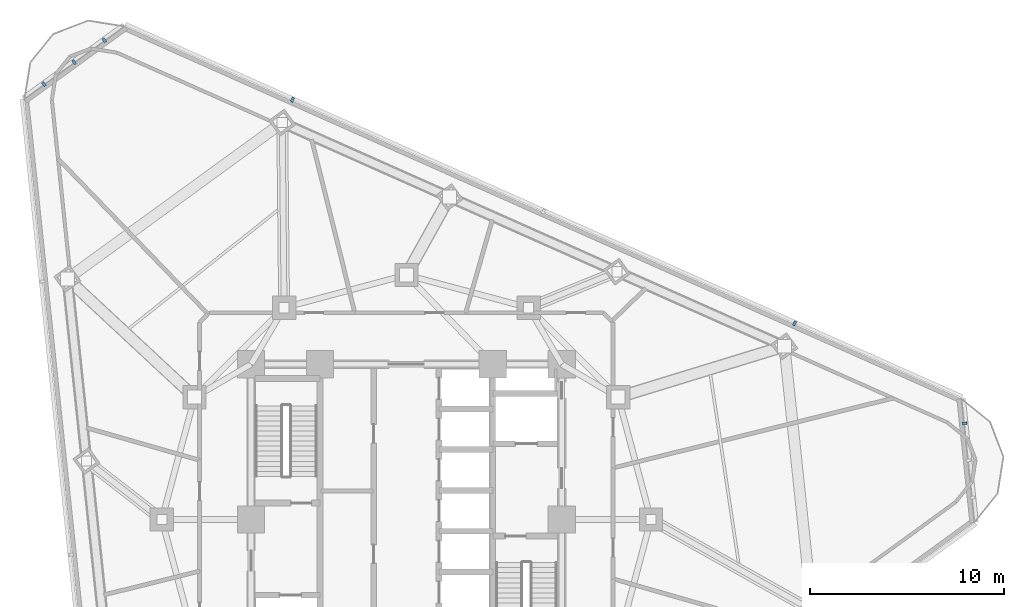
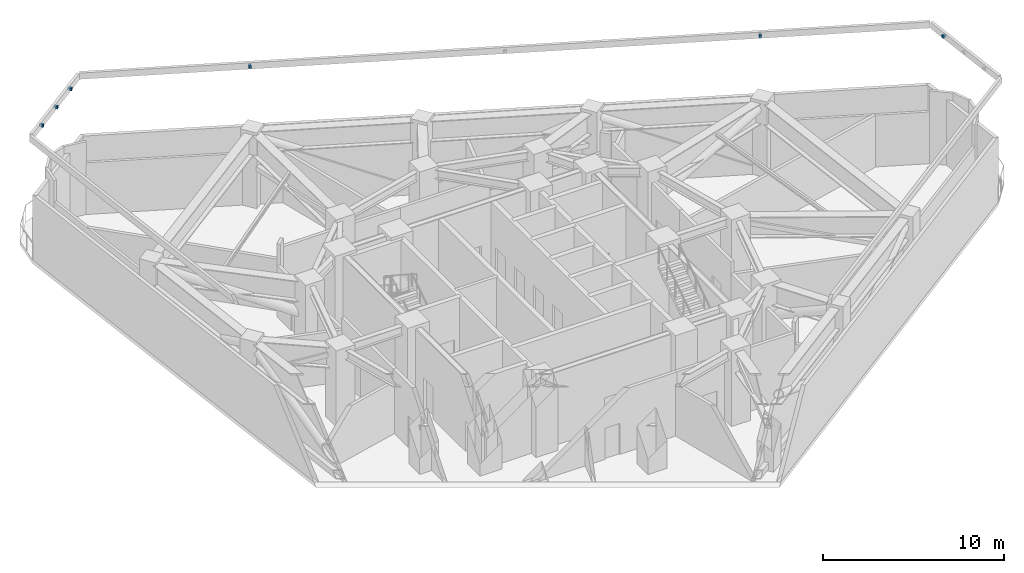
# One storey, part 7 of 10: 6 discrete accessories.
"""IFC4 building model written with IfcOpenShell, lengths in metres."""

import ifcopenshell
import ifcopenshell.guid

model = None  # the IFC model being written
_history = None  # IfcOwnerHistory: only IFC2X3 demands one
_inside = {}  # id of a spatial element -> (the spatial element, [elements in it])
_under = {}  # id of a project, library or spatial element -> (it, [spatial elements below it])
_declared = {}  # id of a project -> (the project, [libraries it declares])
_typed = {}  # id of a type object -> (the type object, [elements of that type])
_made_of = {}  # id of a material, layer set ... -> (it, [elements and type objects made of it])


def new_model(schema):
    """Start an empty IFC model of exactly this schema.

    Asked for "IFC4X3", IfcOpenShell would pick the latest addendum, in which some entities
    have other attributes; the version numbers below select the first issue.
    IFC2X3 requires an IfcOwnerHistory on every rooted entity: one is made here for all.
    """
    global model, _history
    if schema == "IFC4X3":
        model = ifcopenshell.file(schema_version=(4, 3, 0, 0))
    else:
        model = ifcopenshell.file(schema=schema)
    _inside.clear()
    _under.clear()
    _declared.clear()
    _typed.clear()
    _made_of.clear()
    _history = None
    if model.schema == "IFC2X3":
        org = make("IfcOrganization", Name="unknown")
        user = make(
            "IfcPersonAndOrganization",
            ThePerson=make("IfcPerson", FamilyName="unknown"),
            TheOrganization=org,
        )
        app = make(
            "IfcApplication",
            ApplicationDeveloper=org,
            Version="unknown",
            ApplicationFullName="unknown",
            ApplicationIdentifier="unknown",
        )
        _history = make(
            "IfcOwnerHistory",
            OwningUser=user,
            OwningApplication=app,
            ChangeAction="ADDED",
            CreationDate=0,
        )
    return model


def make(cls, **values):
    """One entity of the class cls with the attributes given. An attribute that is None is left unset."""
    return model.create_entity(
        cls, **{name: value for name, value in values.items() if value is not None}
    )


def rooted(cls, **values):
    """An entity with a GlobalId (a new one), such as an element, a storey or a relation."""
    return make(cls, GlobalId=ifcopenshell.guid.new(), OwnerHistory=_history, **values)


def si_unit(unit_type, name, prefix=None):
    """IfcSIUnit, for example si_unit("LENGTHUNIT", "METRE", prefix="MILLI")."""
    return make("IfcSIUnit", UnitType=unit_type, Prefix=prefix, Name=name)


def assignment(units):
    """IfcUnitAssignment: the units of a project."""
    return None if units is None else make("IfcUnitAssignment", Units=units)


def point(xyz):
    """IfcCartesianPoint."""
    return None if xyz is None else make("IfcCartesianPoint", Coordinates=xyz)


def direction(xyz):
    """IfcDirection."""
    return None if xyz is None else make("IfcDirection", DirectionRatios=xyz)


def frame(location, z_axis=None, x_axis=None):
    """IfcAxis2Placement3D, a coordinate frame: its origin and axes. An axis left out is left unset."""
    return make(
        "IfcAxis2Placement3D",
        Location=point(location),
        Axis=direction(z_axis),
        RefDirection=direction(x_axis),
    )


def frame_2d(location, x_axis=None):
    """IfcAxis2Placement2D, a coordinate frame in the plane: its origin and x axis."""
    return make(
        "IfcAxis2Placement2D", Location=point(location), RefDirection=direction(x_axis)
    )


def origin():
    """The frame at (0, 0, 0) with its axes left unset."""
    return frame((0.0, 0.0, 0.0))


def origin_2d():
    """The frame at (0, 0) in the plane with its x axis left unset."""
    return frame_2d((0.0, 0.0))


def place(relative_to, where):
    """IfcLocalPlacement: puts the frame where relative to a parent placement (None: the world)."""
    return make(
        "IfcLocalPlacement", PlacementRelTo=relative_to, RelativePlacement=where
    )


def context(
    kind, dimensions, precision=None, world=None, true_north=None, identifier=None
):
    """IfcGeometricRepresentationContext, for example the 3D "Model" context."""
    return make(
        "IfcGeometricRepresentationContext",
        ContextIdentifier=identifier,
        ContextType=kind,
        CoordinateSpaceDimension=dimensions,
        Precision=precision,
        WorldCoordinateSystem=world,
        TrueNorth=true_north,
    )


def subcontext(parent, identifier, kind, view, scale=None):
    """IfcGeometricRepresentationSubContext, for example "Body" below "Model"."""
    return make(
        "IfcGeometricRepresentationSubContext",
        ContextIdentifier=identifier,
        ContextType=kind,
        ParentContext=parent,
        TargetScale=scale,
        TargetView=view,
    )


def project(units=None, contexts=None):
    """IfcProject with its units and contexts."""
    return rooted(
        "IfcProject",
        Name="project",
        RepresentationContexts=contexts,
        UnitsInContext=assignment(units),
    )


def spatial(cls, under=None, at=None, **own):
    """A site, building, storey or space (cls), placed at a placement, below another one or the project."""
    s = rooted(cls, ObjectPlacement=at, **own)
    if under is not None:
        _under.setdefault(under.id(), (under, []))[1].append(s)
    return s


def profile(cls, at=None, kind="AREA", **sizes):
    """A parametric profile (cls). Its sizes go by their IFC names, for example OverallWidth=200.0."""
    return make(cls, ProfileType=kind, Position=at, **sizes)


def rectangle(**sizes):
    """IfcRectangleProfileDef."""
    return profile("IfcRectangleProfileDef", **sizes)


def extrude(swept, where, along, depth):
    """IfcExtrudedAreaSolid: the profile swept, set in the frame where, extruded along a direction by depth."""
    return make(
        "IfcExtrudedAreaSolid",
        SweptArea=swept,
        Position=where,
        ExtrudedDirection=direction(along),
        Depth=depth,
    )


def shape(context_of_items, identifier, shape_type, items):
    """IfcShapeRepresentation: the items that make up one representation, for example the "Body"."""
    return make(
        "IfcShapeRepresentation",
        ContextOfItems=context_of_items,
        RepresentationIdentifier=identifier,
        RepresentationType=shape_type,
        Items=items,
    )


def material(Name=None, Category=None):
    """IfcMaterial."""
    return make("IfcMaterial", Name=Name, Category=Category)


def made_of(thing, what):
    """Note that an element or type object is made of a material, layer set ...; save() writes the relation."""
    if what is not None:
        _made_of.setdefault(what.id(), (what, []))[1].append(thing)
    return thing


def type_object(cls, material=None, **own):
    """A type object (cls), such as IfcWallType, which elements share."""
    return made_of(rooted(cls, **own), material)


def element(
    cls,
    number,
    at=None,
    inside=None,
    cuts=None,
    type_object=None,
    material=None,
    context=None,
    identifier="Body",
    shape_type=None,
    held_by="IfcProductDefinitionShape",
    body=None,
    shapes=None,
    **own,
):
    """One element of the class cls, such as IfcWall. Its Tag is "e" and its number.

    at: its placement. inside: the storey or other place that contains it. cuts: it is an
    opening in that element (IfcRelVoidsElement). A single representation is given by context,
    identifier, shape_type and body (its items); several are given by shapes. held_by: the class
    of the entity that holds the representations. save() writes the other relations.
    """
    e = rooted(cls, Tag="e%d" % number, ObjectPlacement=at, **own)
    if body is not None:
        shapes = [shape(context, identifier, shape_type, body)]
    if shapes is not None:
        e.Representation = make(held_by, Representations=shapes)
    if inside is not None:
        _inside.setdefault(inside.id(), (inside, []))[1].append(e)
    if cuts is not None:
        rooted(
            "IfcRelVoidsElement", RelatingBuildingElement=cuts, RelatedOpeningElement=e
        )
    if type_object is not None:
        _typed.setdefault(type_object.id(), (type_object, []))[1].append(e)
    return made_of(e, material)


def aggregate(whole, parts):
    """IfcRelAggregates: a whole, such as a stair, and the parts it consists of."""
    return rooted("IfcRelAggregates", RelatingObject=whole, RelatedObjects=parts)


def save(model, path):
    """Write the relations noted so far, then the file.

    IfcRelAggregates (storeys below a building ...), IfcRelContainedInSpatialStructure (elements
    in a storey), IfcRelDefinesByType, IfcRelAssociatesMaterial and IfcRelDeclares: one each for
    every whole, place, type object, material and project.
    """
    for whole, parts in _under.values():
        aggregate(whole, parts)
    for where, things in _inside.values():
        rooted(
            "IfcRelContainedInSpatialStructure",
            RelatedElements=things,
            RelatingStructure=where,
        )
    for kind, things in _typed.values():
        rooted("IfcRelDefinesByType", RelatedObjects=things, RelatingType=kind)
    for what, things in _made_of.values():
        rooted("IfcRelAssociatesMaterial", RelatedObjects=things, RelatingMaterial=what)
    for by, libraries in _declared.values():
        rooted("IfcRelDeclares", RelatingContext=by, RelatedDefinitions=libraries)
    model.write(path)


model = new_model("IFC4")

# Units and contexts
model_context = context("Model", 3, precision=1e-05, world=origin(), true_north=direction((0.0, 1.0)))
body_context = subcontext(model_context, "Body", "Model", "MODEL_VIEW")
ifc_project = project(units=[si_unit("LENGTHUNIT", "METRE"), si_unit("AREAUNIT", "SQUARE_METRE"), si_unit("VOLUMEUNIT", "CUBIC_METRE"), si_unit("PLANEANGLEUNIT", "RADIAN"), si_unit("MASSUNIT", "GRAM", prefix="KILO")], contexts=[model_context])

# Site, building, storey
site_placement = place(None, origin())
site = spatial("IfcSite", under=ifc_project, at=site_placement, CompositionType="ELEMENT")
building_placement = place(site_placement, origin())
building = spatial("IfcBuilding", under=site, at=building_placement, Name="Terralouvre Media Tower", CompositionType="ELEMENT")
storey_placement = place(building_placement, frame((0.0, 0.0, 149.5)))
storey = spatial("IfcBuildingStorey", under=building, at=storey_placement, Name="L38", CompositionType="ELEMENT", Elevation=149.5)

# Discrete accessories
ifc_material = material(Name="Anodised extruded aluminium 6063-T6", Category="aluminium")
discrete_accessory_type = type_object("IfcDiscreteAccessoryType", Name="Mullion Stand-Off Baguette Fixing Bracket BK-01", PredefinedType="BRACKET", material=ifc_material)
for number, where, z_axis, x_axis, name in (
    (1, (19.9990234375, 10.104736328125, 8.17822265625), (0.0, 0.0, 1.0), (-0.913545469547, 0.406736616337, 0.0), "CW-L38-F1 Louvre Bracket 01"),
    (2, (-5.87255859375, 21.62353515625, 8.17822265625), (0.0, 0.0, 1.0), (-0.913545469547, 0.406736616337, 0.0), "CW-L38-F1 Louvre Bracket 03"),
    (3, (28.760498046875, 4.9560546875, 8.17822265625), (0.0, 0.0, 1.0), (-0.10452850319, 0.994521891172, 0.0), "CW-L38-C1 Louvre Bracket 03"),
    (4, (-15.5615234375, 24.689453125, 8.17822265625), (0.0, 0.0, 1.0), (-0.809017438344, -0.587784641221, 0.0), "CW-L38-C2 Louvre Bracket 01"),
    (5, (-17.116943359375, 23.559326171875, 8.17822265625), (0.0, 0.0, 1.0), (-0.809017438344, -0.587784641221, 0.0), "CW-L38-C2 Louvre Bracket 02"),
    (6, (-18.67236328125, 22.42919921875, 8.17822265625), (0.0, 0.0, 1.0), (-0.809017438344, -0.587784641221, 0.0), "CW-L38-C2 Louvre Bracket 03"),
):
    element("IfcDiscreteAccessory", number, at=place(storey_placement, frame(where, z_axis=z_axis, x_axis=x_axis)), inside=storey, type_object=discrete_accessory_type, Name=name, PredefinedType="BRACKET", context=body_context, shape_type="SweptSolid", body=[
        extrude(rectangle(XDim=0.139892578125, YDim=0.239990234375, at=origin_2d()), origin(), (0.0, 0.0, 1.0), 0.179931640625),
    ])

save(model, "model.ifc")
